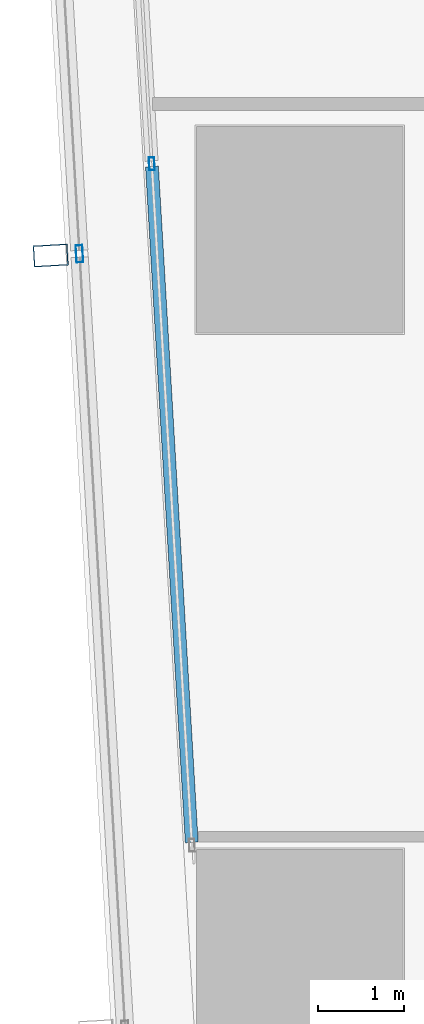
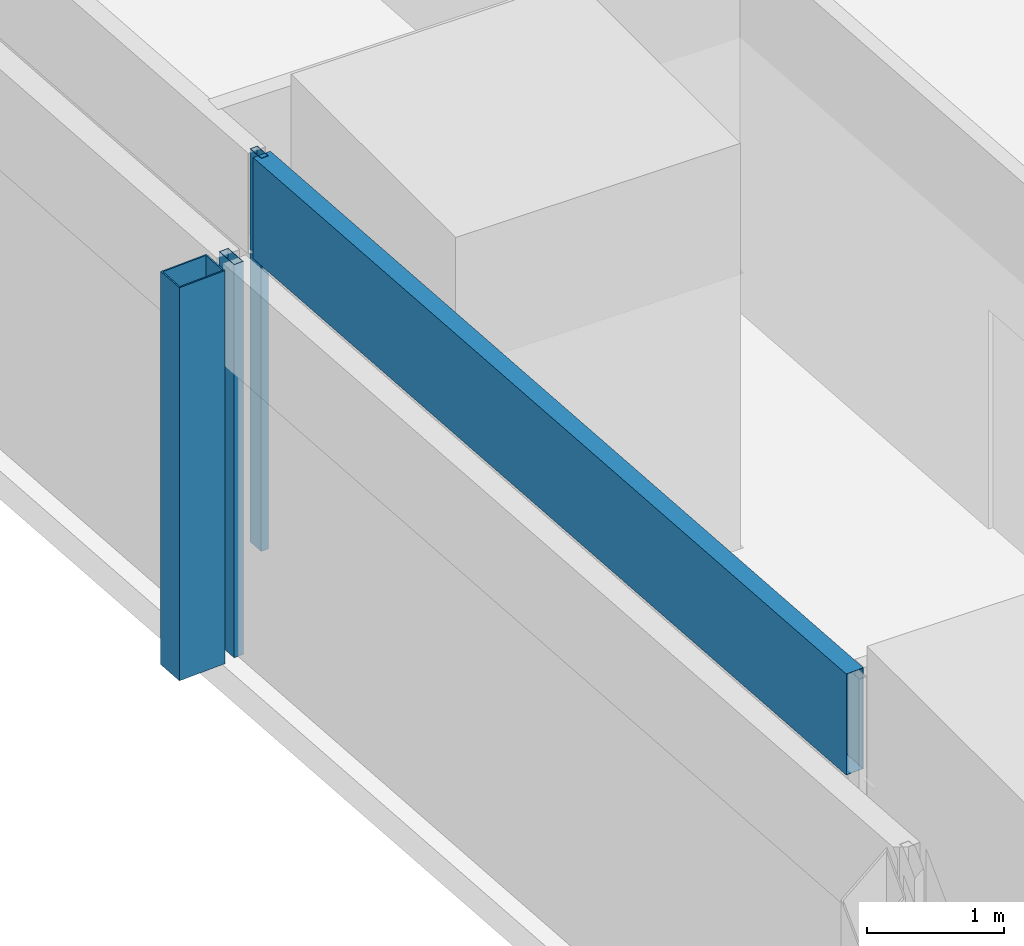
# One storey, part 6 of 37: 4 members, 2 elements without a shape of their own.
"""IFC4 building model written with IfcOpenShell, lengths in metres."""

from ifc_helpers import new_model, si_unit, direction, frame, origin, origin_2d, place, context, subcontext, project, spatial, hollow_rectangle, extrude, material, material_profile, profile_set, type_object, element, aggregate, save


model = new_model("IFC4")

# Units and contexts
model_context = context("Model", 3, precision=1e-05, world=origin(), true_north=direction((0.0, 1.0)))
body_context = subcontext(model_context, "Body", "Model", "MODEL_VIEW")
ifc_project = project(units=[si_unit("LENGTHUNIT", "METRE"), si_unit("AREAUNIT", "SQUARE_METRE"), si_unit("VOLUMEUNIT", "CUBIC_METRE"), si_unit("PLANEANGLEUNIT", "RADIAN"), si_unit("MASSUNIT", "GRAM", prefix="KILO")], contexts=[model_context])

# Site, building, storey
site_placement = place(None, origin())
site = spatial("IfcSite", under=ifc_project, at=site_placement, CompositionType="ELEMENT")
building_placement = place(site_placement, origin())
building = spatial("IfcBuilding", under=site, at=building_placement, Name="Rekha Terrace Tower", CompositionType="ELEMENT")
storey_placement = place(building_placement, frame((0.0, 0.0, 232.699951171875)))
storey = spatial("IfcBuildingStorey", under=building, at=storey_placement, Name="L59", CompositionType="ELEMENT", Elevation=232.699951171875)

# Curtain wall, member
ifc_material_1 = material(Name="Aluminium framing", Category="aluminium")
curtain_wall_type_1 = type_object("IfcCurtainWallType", Name="CW2 double skin outer glazing", PredefinedType="USERDEFINED", material=ifc_material_1)
curtain_wall_1_placement = place(storey_placement, origin())
curtain_wall_1 = element("IfcCurtainWall", 1, at=curtain_wall_1_placement, inside=storey, type_object=curtain_wall_type_1, Name="CW2 double skin outer glazing", ObjectType="DOUBLE SKIN OUTER GLAZING", PredefinedType="USERDEFINED")
ifc_material_2 = material(Name="Steel S355 with fluorocarbon finish", Category="steel")
ifc_material_profile_1 = material_profile(ifc_material_2, hollow_rectangle(XDim=0.25, YDim=0.39990234375, WallThickness=0.012451171875, at=origin_2d()), Name="RHS400x250x12.5")
ifc_profile_set_1 = profile_set([ifc_material_profile_1], Name="Steel S355 with fluorocarbon finish")
member_type_1 = type_object("IfcMemberType", Name="BL1 facade blade RHS 400 x 250", PredefinedType="USERDEFINED", material=ifc_profile_set_1)
member_1_placement = place(storey_placement, frame((5.50634765625, 33.300048828125, 0.0), z_axis=(0.0, 0.0, 1.0), x_axis=(0.058764522885, -0.998271872212, 0.0)))
member_1 = element("IfcMember", 2, at=member_1_placement, type_object=member_type_1, Name="Facade blade", ObjectType="FACADE BLADE", PredefinedType="USERDEFINED", context=body_context, shape_type="SweptSolid", body=[
    extrude(hollow_rectangle(XDim=0.25, YDim=0.39990234375, WallThickness=0.012451171875, at=origin_2d()), origin(), (0.0, 0.0, 1.0), 3.5),
])

# Curtain wall, members
curtain_wall_type_2 = type_object("IfcCurtainWallType", Name="CW1 double skin inner glazing", PredefinedType="USERDEFINED", material=ifc_material_1)
curtain_wall_2_placement = place(storey_placement, origin())
curtain_wall_2 = element("IfcCurtainWall", 3, at=curtain_wall_2_placement, inside=storey, type_object=curtain_wall_type_2, Name="CW1 double skin inner glazing", ObjectType="DOUBLE SKIN INNER GLAZING", PredefinedType="USERDEFINED")
ifc_material_3 = material(Name="Aluminium mullion section", Category="aluminium")
ifc_material_profile_2 = material_profile(ifc_material_3, hollow_rectangle(XDim=0.06494140625, YDim=0.14990234375, WallThickness=0.00390625, at=origin_2d()), Name="AL RHS 65x150")
ifc_profile_set_2 = profile_set([ifc_material_profile_2], Name="Aluminium mullion section")
member_type_2 = type_object("IfcMemberType", Name="CW1 mullion RHS 65 x 150", PredefinedType="MULLION", material=ifc_profile_set_2)
member_2_placement = place(storey_placement, frame((6.6806640625, 34.36572265625, 0.0), z_axis=(0.0, 0.0, 1.0), x_axis=(0.998271839267, 0.058765082551, 0.0)))
member_2 = element("IfcMember", 4, at=member_2_placement, type_object=member_type_2, Name="CW1 mullion 2", PredefinedType="MULLION", context=body_context, shape_type="SweptSolid", body=[
    extrude(hollow_rectangle(XDim=0.06494140625, YDim=0.14990234375, WallThickness=0.00390625, at=origin_2d()), origin(), (0.0, 0.0, 1.0), 3.5),
])
ifc_material_4 = material(Name="Insulated aluminium spandrel box", Category="aluminium")
ifc_material_profile_3 = material_profile(ifc_material_4, hollow_rectangle(XDim=0.14990234375, YDim=0.89990234375, WallThickness=0.0029296875, at=origin_2d()), Name="AL SPANDREL BOX 150x900")
ifc_profile_set_3 = profile_set([ifc_material_profile_3], Name="Insulated aluminium spandrel box")
member_type_3 = type_object("IfcMemberType", Name="CW1 spandrel transom 150 x 900", PredefinedType="USERDEFINED", material=ifc_profile_set_3)
member_3_placement = place(storey_placement, frame((6.6826171875, 34.333251953125, 3.050048828125), z_axis=(0.058762055073, -0.99827201748, 0.0), x_axis=(0.99827201748, 0.058762055073, 0.0)))
member_3 = element("IfcMember", 5, at=member_3_placement, type_object=member_type_3, Name="CW1 spandrel transom 2", ObjectType="TRANSOM", PredefinedType="USERDEFINED", context=body_context, shape_type="SweptSolid", body=[
    extrude(hollow_rectangle(XDim=0.14990234375, YDim=0.89990234375, WallThickness=0.0029296875, at=origin_2d()), origin(), (0.0, 0.0, 1.0), 7.864990234375),
])
aggregate(curtain_wall_2, [member_2, member_3])

# Member
ifc_material_profile_4 = material_profile(ifc_material_3, hollow_rectangle(XDim=0.080078125, YDim=0.199951171875, WallThickness=0.00390625, at=origin_2d()), Name="AL RHS 80x200")
ifc_profile_set_4 = profile_set([ifc_material_profile_4], Name="Aluminium mullion section")
member_type_4 = type_object("IfcMemberType", Name="CW2 mullion RHS 80 x 200", PredefinedType="MULLION", material=ifc_profile_set_4)
member_4_placement = place(storey_placement, frame((5.840576171875, 33.31982421875, 0.0), z_axis=(0.0, 0.0, 1.0), x_axis=(0.99827183927, 0.058765082499, 0.0)))
member_4 = element("IfcMember", 6, at=member_4_placement, type_object=member_type_4, Name="CW2 mullion 2", PredefinedType="MULLION", context=body_context, shape_type="SweptSolid", body=[
    extrude(hollow_rectangle(XDim=0.080078125, YDim=0.199951171875, WallThickness=0.00390625, at=origin_2d()), origin(), (0.0, 0.0, 1.0), 3.5),
])

aggregate(curtain_wall_1, [member_4, member_1])

save(model, "model.ifc")
